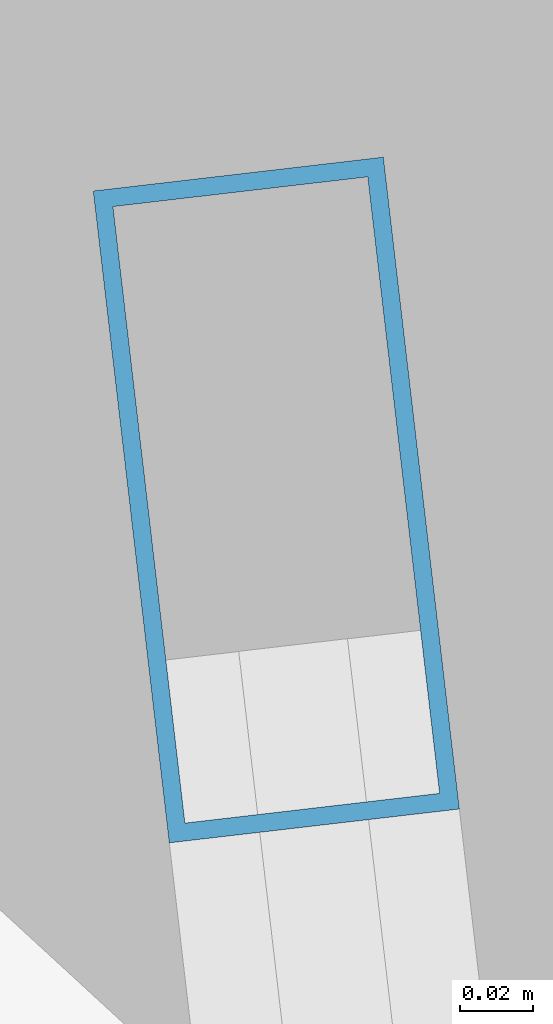
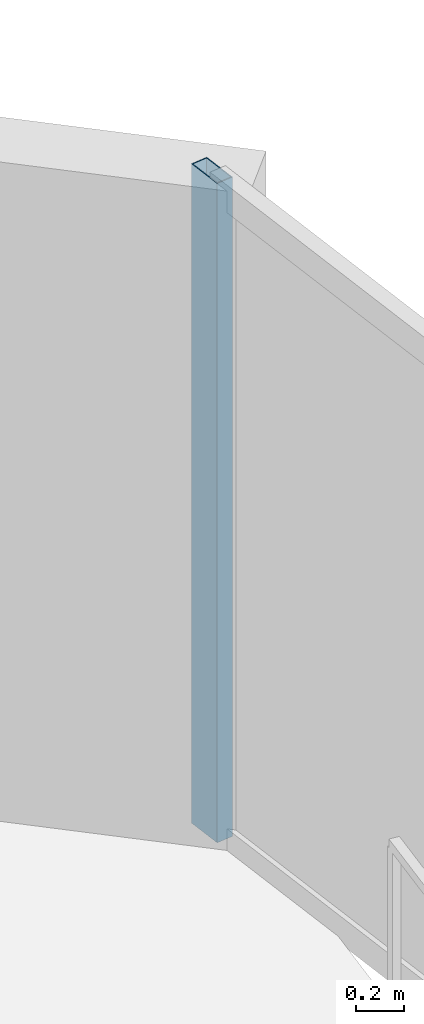
# One storey, part 22 of 31: 1 member, 1 element without a shape of its own.
"""IFC4 building model written with IfcOpenShell, lengths in metres."""

import ifcopenshell
import ifcopenshell.guid

model = None  # the IFC model being written
_history = None  # IfcOwnerHistory: only IFC2X3 demands one
_inside = {}  # id of a spatial element -> (the spatial element, [elements in it])
_under = {}  # id of a project, library or spatial element -> (it, [spatial elements below it])
_declared = {}  # id of a project -> (the project, [libraries it declares])
_typed = {}  # id of a type object -> (the type object, [elements of that type])
_made_of = {}  # id of a material, layer set ... -> (it, [elements and type objects made of it])


def new_model(schema):
    """Start an empty IFC model of exactly this schema.

    Asked for "IFC4X3", IfcOpenShell would pick the latest addendum, in which some entities
    have other attributes; the version numbers below select the first issue.
    IFC2X3 requires an IfcOwnerHistory on every rooted entity: one is made here for all.
    """
    global model, _history
    if schema == "IFC4X3":
        model = ifcopenshell.file(schema_version=(4, 3, 0, 0))
    else:
        model = ifcopenshell.file(schema=schema)
    _inside.clear()
    _under.clear()
    _declared.clear()
    _typed.clear()
    _made_of.clear()
    _history = None
    if model.schema == "IFC2X3":
        org = make("IfcOrganization", Name="unknown")
        user = make(
            "IfcPersonAndOrganization",
            ThePerson=make("IfcPerson", FamilyName="unknown"),
            TheOrganization=org,
        )
        app = make(
            "IfcApplication",
            ApplicationDeveloper=org,
            Version="unknown",
            ApplicationFullName="unknown",
            ApplicationIdentifier="unknown",
        )
        _history = make(
            "IfcOwnerHistory",
            OwningUser=user,
            OwningApplication=app,
            ChangeAction="ADDED",
            CreationDate=0,
        )
    return model


def make(cls, **values):
    """One entity of the class cls with the attributes given. An attribute that is None is left unset."""
    return model.create_entity(
        cls, **{name: value for name, value in values.items() if value is not None}
    )


def rooted(cls, **values):
    """An entity with a GlobalId (a new one), such as an element, a storey or a relation."""
    return make(cls, GlobalId=ifcopenshell.guid.new(), OwnerHistory=_history, **values)


def si_unit(unit_type, name, prefix=None):
    """IfcSIUnit, for example si_unit("LENGTHUNIT", "METRE", prefix="MILLI")."""
    return make("IfcSIUnit", UnitType=unit_type, Prefix=prefix, Name=name)


def assignment(units):
    """IfcUnitAssignment: the units of a project."""
    return None if units is None else make("IfcUnitAssignment", Units=units)


def point(xyz):
    """IfcCartesianPoint."""
    return None if xyz is None else make("IfcCartesianPoint", Coordinates=xyz)


def direction(xyz):
    """IfcDirection."""
    return None if xyz is None else make("IfcDirection", DirectionRatios=xyz)


def frame(location, z_axis=None, x_axis=None):
    """IfcAxis2Placement3D, a coordinate frame: its origin and axes. An axis left out is left unset."""
    return make(
        "IfcAxis2Placement3D",
        Location=point(location),
        Axis=direction(z_axis),
        RefDirection=direction(x_axis),
    )


def frame_2d(location, x_axis=None):
    """IfcAxis2Placement2D, a coordinate frame in the plane: its origin and x axis."""
    return make(
        "IfcAxis2Placement2D", Location=point(location), RefDirection=direction(x_axis)
    )


def origin():
    """The frame at (0, 0, 0) with its axes left unset."""
    return frame((0.0, 0.0, 0.0))


def origin_2d():
    """The frame at (0, 0) in the plane with its x axis left unset."""
    return frame_2d((0.0, 0.0))


def place(relative_to, where):
    """IfcLocalPlacement: puts the frame where relative to a parent placement (None: the world)."""
    return make(
        "IfcLocalPlacement", PlacementRelTo=relative_to, RelativePlacement=where
    )


def context(
    kind, dimensions, precision=None, world=None, true_north=None, identifier=None
):
    """IfcGeometricRepresentationContext, for example the 3D "Model" context."""
    return make(
        "IfcGeometricRepresentationContext",
        ContextIdentifier=identifier,
        ContextType=kind,
        CoordinateSpaceDimension=dimensions,
        Precision=precision,
        WorldCoordinateSystem=world,
        TrueNorth=true_north,
    )


def subcontext(parent, identifier, kind, view, scale=None):
    """IfcGeometricRepresentationSubContext, for example "Body" below "Model"."""
    return make(
        "IfcGeometricRepresentationSubContext",
        ContextIdentifier=identifier,
        ContextType=kind,
        ParentContext=parent,
        TargetScale=scale,
        TargetView=view,
    )


def project(units=None, contexts=None):
    """IfcProject with its units and contexts."""
    return rooted(
        "IfcProject",
        Name="project",
        RepresentationContexts=contexts,
        UnitsInContext=assignment(units),
    )


def spatial(cls, under=None, at=None, **own):
    """A site, building, storey or space (cls), placed at a placement, below another one or the project."""
    s = rooted(cls, ObjectPlacement=at, **own)
    if under is not None:
        _under.setdefault(under.id(), (under, []))[1].append(s)
    return s


def profile(cls, at=None, kind="AREA", **sizes):
    """A parametric profile (cls). Its sizes go by their IFC names, for example OverallWidth=200.0."""
    return make(cls, ProfileType=kind, Position=at, **sizes)


def hollow_rectangle(**sizes):
    """IfcRectangleHollowProfileDef."""
    return profile("IfcRectangleHollowProfileDef", **sizes)


def extrude(swept, where, along, depth):
    """IfcExtrudedAreaSolid: the profile swept, set in the frame where, extruded along a direction by depth."""
    return make(
        "IfcExtrudedAreaSolid",
        SweptArea=swept,
        Position=where,
        ExtrudedDirection=direction(along),
        Depth=depth,
    )


def shape(context_of_items, identifier, shape_type, items):
    """IfcShapeRepresentation: the items that make up one representation, for example the "Body"."""
    return make(
        "IfcShapeRepresentation",
        ContextOfItems=context_of_items,
        RepresentationIdentifier=identifier,
        RepresentationType=shape_type,
        Items=items,
    )


def material(Name=None, Category=None):
    """IfcMaterial."""
    return make("IfcMaterial", Name=Name, Category=Category)


def layer(
    of_material, thickness, ventilated=None, Name=None, Category=None, Priority=None
):
    """IfcMaterialLayer: one layer of a wall or slab, of a material (None: an air gap)."""
    return make(
        "IfcMaterialLayer",
        Material=of_material,
        LayerThickness=thickness,
        IsVentilated=ventilated,
        Name=Name,
        Category=Category,
        Priority=Priority,
    )


def layer_set(layers, Name=None):
    """IfcMaterialLayerSet."""
    return make("IfcMaterialLayerSet", MaterialLayers=layers, LayerSetName=Name)


def material_profile(
    of_material, cross_section, Name=None, Category=None, Priority=None
):
    """IfcMaterialProfile: a cross section and its material."""
    return make(
        "IfcMaterialProfile",
        Name=Name,
        Material=of_material,
        Profile=cross_section,
        Priority=Priority,
        Category=Category,
    )


def profile_set(profiles, Name=None, composite=None):
    """IfcMaterialProfileSet."""
    return make(
        "IfcMaterialProfileSet",
        Name=Name,
        MaterialProfiles=profiles,
        CompositeProfile=composite,
    )


def made_of(thing, what):
    """Note that an element or type object is made of a material, layer set ...; save() writes the relation."""
    if what is not None:
        _made_of.setdefault(what.id(), (what, []))[1].append(thing)
    return thing


def type_object(cls, material=None, **own):
    """A type object (cls), such as IfcWallType, which elements share."""
    return made_of(rooted(cls, **own), material)


def element(
    cls,
    number,
    at=None,
    inside=None,
    cuts=None,
    type_object=None,
    material=None,
    context=None,
    identifier="Body",
    shape_type=None,
    held_by="IfcProductDefinitionShape",
    body=None,
    shapes=None,
    **own,
):
    """One element of the class cls, such as IfcWall. Its Tag is "e" and its number.

    at: its placement. inside: the storey or other place that contains it. cuts: it is an
    opening in that element (IfcRelVoidsElement). A single representation is given by context,
    identifier, shape_type and body (its items); several are given by shapes. held_by: the class
    of the entity that holds the representations. save() writes the other relations.
    """
    e = rooted(cls, Tag="e%d" % number, ObjectPlacement=at, **own)
    if body is not None:
        shapes = [shape(context, identifier, shape_type, body)]
    if shapes is not None:
        e.Representation = make(held_by, Representations=shapes)
    if inside is not None:
        _inside.setdefault(inside.id(), (inside, []))[1].append(e)
    if cuts is not None:
        rooted(
            "IfcRelVoidsElement", RelatingBuildingElement=cuts, RelatedOpeningElement=e
        )
    if type_object is not None:
        _typed.setdefault(type_object.id(), (type_object, []))[1].append(e)
    return made_of(e, material)


def aggregate(whole, parts):
    """IfcRelAggregates: a whole, such as a stair, and the parts it consists of."""
    return rooted("IfcRelAggregates", RelatingObject=whole, RelatedObjects=parts)


def save(model, path):
    """Write the relations noted so far, then the file.

    IfcRelAggregates (storeys below a building ...), IfcRelContainedInSpatialStructure (elements
    in a storey), IfcRelDefinesByType, IfcRelAssociatesMaterial and IfcRelDeclares: one each for
    every whole, place, type object, material and project.
    """
    for whole, parts in _under.values():
        aggregate(whole, parts)
    for where, things in _inside.values():
        rooted(
            "IfcRelContainedInSpatialStructure",
            RelatedElements=things,
            RelatingStructure=where,
        )
    for kind, things in _typed.values():
        rooted("IfcRelDefinesByType", RelatedObjects=things, RelatingType=kind)
    for what, things in _made_of.values():
        rooted("IfcRelAssociatesMaterial", RelatedObjects=things, RelatingMaterial=what)
    for by, libraries in _declared.values():
        rooted("IfcRelDeclares", RelatingContext=by, RelatedDefinitions=libraries)
    model.write(path)


model = new_model("IFC4")

# Units and contexts
model_context = context("Model", 3, precision=1e-05, world=origin(), true_north=direction((0.0, 1.0)))
body_context = subcontext(model_context, "Body", "Model", "MODEL_VIEW")
ifc_project = project(units=[si_unit("LENGTHUNIT", "METRE"), si_unit("AREAUNIT", "SQUARE_METRE"), si_unit("VOLUMEUNIT", "CUBIC_METRE"), si_unit("PLANEANGLEUNIT", "RADIAN"), si_unit("MASSUNIT", "GRAM", prefix="KILO")], contexts=[model_context])

# Site, building, storey
site_placement = place(None, origin())
site = spatial("IfcSite", under=ifc_project, at=site_placement, CompositionType="ELEMENT")
building_placement = place(site_placement, origin())
building = spatial("IfcBuilding", under=site, at=building_placement, Name="Kazevale Care Tower and Concert Hall", CompositionType="ELEMENT")
storey_placement = place(building_placement, frame((0.0, 0.0, 210.0)))
storey = spatial("IfcBuildingStorey", under=building, at=storey_placement, Name="L55", CompositionType="ELEMENT", Elevation=210.0)

# Curtain wall, member
ifc_material_1 = material(Name="Aluminium 6063-T6 and Low-E Glass", Category="aluminium")
ifc_layer = layer(ifc_material_1, 0.179931640625)
ifc_layer_set = layer_set([ifc_layer], Name="Aluminium 6063-T6 and Low-E Glass")
curtain_wall_type = type_object("IfcCurtainWallType", Name="Waist & Upper Residential Curtain Wall CW-4", PredefinedType="NOTDEFINED", material=ifc_layer_set)
curtain_wall_placement = place(storey_placement, origin())
curtain_wall = element("IfcCurtainWall", 1, at=curtain_wall_placement, inside=storey, type_object=curtain_wall_type, Name="cw:L55:f18", PredefinedType="NOTDEFINED")
ifc_material_2 = material(Name="Aluminium 6063-T6", Category="aluminium")
ifc_material_profile = material_profile(ifc_material_2, hollow_rectangle(XDim=0.080078125, YDim=0.179931640625, WallThickness=0.0048828125, at=origin_2d()), Name="ALU80x180x5")
ifc_profile_set = profile_set([ifc_material_profile], Name="Aluminium 6063-T6")
member_type = type_object("IfcMemberType", Name="CW-4 Mullion ALU80x180x5", PredefinedType="MULLION", material=ifc_profile_set)
member_placement = place(storey_placement, frame((75.2255859375, 49.955322265625, 0.0), z_axis=(0.0, 0.0, 1.0), x_axis=(0.993267109779, 0.115846659989, 0.0)))
member = element("IfcMember", 2, at=member_placement, type_object=member_type, Name="CW-4 mullion 1", PredefinedType="MULLION", context=body_context, shape_type="SweptSolid", body=[
    extrude(hollow_rectangle(XDim=0.080078125, YDim=0.179931640625, WallThickness=0.0048828125, at=origin_2d()), origin(), (0.0, 0.0, 1.0), 3.360107421875),
])
aggregate(curtain_wall, [member])

save(model, "model.ifc")
